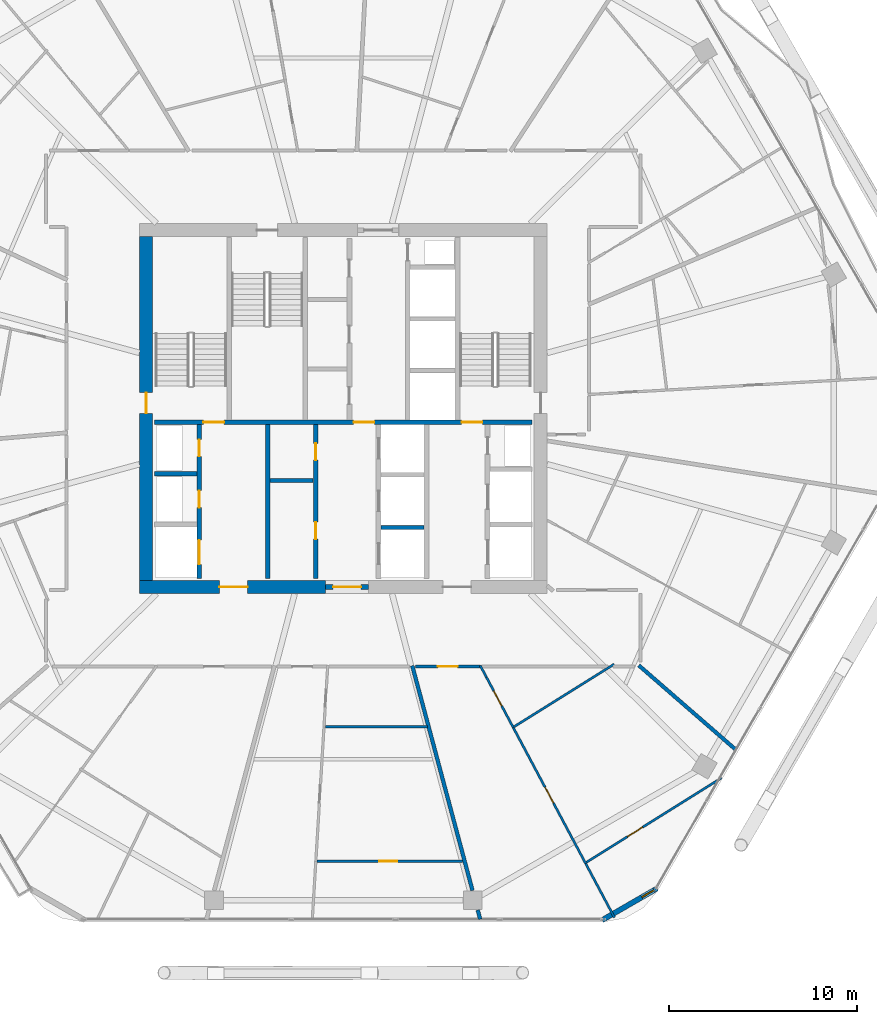
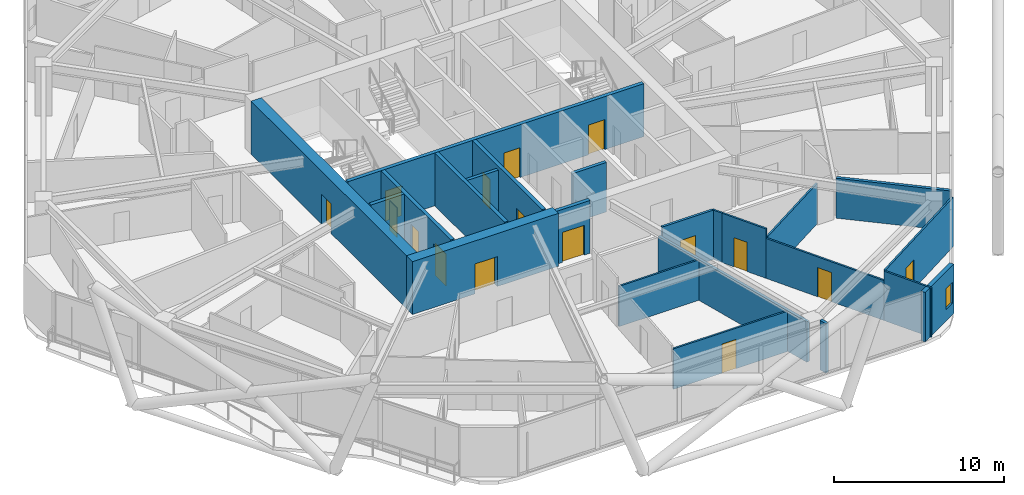
# One storey, part 21 of 28: 23 walls, 16 doors, 1 window, 17 openings.
"""IFC4 building model written with IfcOpenShell, lengths in metres."""

from ifc_helpers import new_model, si_unit, direction, frame, frame_2d, origin, place, context, subcontext, project, spatial, rectangle, extrude, material, layer, layer_set, type_object, element, fill, save


model = new_model("IFC4")

# Units and contexts
model_context = context("Model", 3, precision=1e-05, world=origin(), true_north=direction((0.0, 1.0)))
body_context = subcontext(model_context, "Body", "Model", "MODEL_VIEW")
ifc_project = project(units=[si_unit("LENGTHUNIT", "METRE"), si_unit("AREAUNIT", "SQUARE_METRE"), si_unit("VOLUMEUNIT", "CUBIC_METRE"), si_unit("PLANEANGLEUNIT", "RADIAN"), si_unit("MASSUNIT", "GRAM", prefix="KILO")], contexts=[model_context])

# Site, building, storey
site_placement = place(None, origin())
site = spatial("IfcSite", under=ifc_project, at=site_placement, CompositionType="ELEMENT")
building_placement = place(site_placement, origin())
building = spatial("IfcBuilding", under=site, at=building_placement, Name="Zuhravey Tower", CompositionType="ELEMENT")
storey_placement = place(building_placement, frame((0.0, 0.0, 169.39990234375)))
storey = spatial("IfcBuildingStorey", under=building, at=storey_placement, Name="L42", CompositionType="ELEMENT", Elevation=169.39990234375)

# Wall, opening, door
ifc_material_1 = material(Name="Concrete C60/75", Category="concrete")
ifc_layer_1 = layer(ifc_material_1, 0.699951171875)
ifc_layer_set_1 = layer_set([ifc_layer_1], Name="Concrete C60/75")
wall_type_1 = type_object("IfcWallType", Name="Core Shear Wall 700", PredefinedType="SHEAR", material=ifc_layer_set_1)
wall_1_placement = place(storey_placement, frame((25.14990234375, 22.5, 0.0), z_axis=(0.0, 0.0, 1.0), x_axis=(1.0, 0.0, 0.0)))
wall_1 = element("IfcWall", 1, at=wall_1_placement, inside=storey, type_object=wall_type_1, Name="L42 South-West Core Shear Wall CW70", PredefinedType="SHEAR", context=body_context, shape_type="SweptSolid", body=[
    extrude(rectangle(XDim=9.900146484375, YDim=0.699951171875, at=frame_2d((4.9501953125, 0.0))), origin(), (0.0, 0.0, 1.0), 3.800048828125),
])
opening_1_placement = place(wall_1_placement, frame((4.25, 0.0, 0.0)))
opening_1 = element("IfcOpeningElement", 2, at=opening_1_placement, cuts=wall_1, Name="Opening FFD1", PredefinedType="OPENING", context=body_context, shape_type="SweptSolid", body=[
    extrude(rectangle(XDim=1.5, YDim=2.14990234375, at=frame_2d((0.75, 1.074951171875))), frame((0.0, 0.362060546875, 0.0), z_axis=(0.0, -1.0, 0.0), x_axis=(1.0, 0.0, 0.0)), (0.0, 0.0, 1.0), 0.723876953125),
])
ifc_material_2 = material(Name="Galvanised fire-rated steel leaf", Category="steel")
door_type_1 = type_object("IfcDoorType", Name="Firefighting Lobby Double Door 1500x2150", OperationType="DOUBLE_DOOR_SINGLE_SWING", PredefinedType="DOOR", material=ifc_material_2)
door_1_placement = place(opening_1_placement, origin())
door_1 = element("IfcDoor", 3, at=door_1_placement, inside=storey, type_object=door_type_1, Name="L42 Firefighting Lobby West Door", OperationType="DOUBLE_DOOR_SINGLE_SWING", OverallHeight=2.14990234375, OverallWidth=1.5, PredefinedType="DOOR", context=body_context, shape_type="SweptSolid", body=[
    extrude(rectangle(XDim=1.5, YDim=2.14990234375, at=frame_2d((0.75, 1.074951171875))), frame((0.0, 0.02490234375, 0.0), z_axis=(0.0, -1.0, 0.0), x_axis=(1.0, 0.0, 0.0)), (0.0, 0.0, 1.0), 0.050048828125),
])
fill(opening_1, door_1)

wall_2_placement = place(storey_placement, frame((25.5, 22.85009765625, 0.0), z_axis=(0.0, 0.0, 1.0), x_axis=(0.0, 1.0, 0.0)))
wall_2 = element("IfcWall", 4, at=wall_2_placement, inside=storey, type_object=wall_type_1, Name="L42 West Core Shear Wall CW70", PredefinedType="SHEAR", context=body_context, shape_type="SweptSolid", body=[
    extrude(rectangle(XDim=18.2998046875, YDim=0.699951171875, at=frame_2d((9.14990234375, 0.0))), origin(), (0.0, 0.0, 1.0), 3.800048828125),
])
opening_2_placement = place(wall_2_placement, frame((8.89990234375, 0.0, 0.0)))
opening_2 = element("IfcOpeningElement", 5, at=opening_2_placement, cuts=wall_2, Name="Opening STD1", PredefinedType="OPENING", context=body_context, shape_type="SweptSolid", body=[
    extrude(rectangle(XDim=1.10009765625, YDim=2.14990234375, at=frame_2d((0.550048828125, 1.074951171875))), frame((0.0, 0.362060546875, 0.0), z_axis=(0.0, -1.0, 0.0), x_axis=(1.0, 0.0, 0.0)), (0.0, 0.0, 1.0), 0.723876953125),
])
door_type_2 = type_object("IfcDoorType", Name="Protected Stair Fire Door 1100x2150", OperationType="NOTDEFINED", PredefinedType="USERDEFINED", material=ifc_material_2)
door_2_placement = place(opening_2_placement, frame((1.10009765625, 0.0, 0.0), z_axis=(0.0, 0.0, 1.0), x_axis=(-1.0, 0.0, 0.0)))
door_2 = element("IfcDoor", 6, at=door_2_placement, inside=storey, type_object=door_type_2, Name="L42 Stair ST1 Door", ObjectType="EXITDOOR", OperationType="SINGLE_SWING_RIGHT", OverallHeight=2.14990234375, OverallWidth=1.10009765625, PredefinedType="USERDEFINED", context=body_context, shape_type="SweptSolid", body=[
    extrude(rectangle(XDim=1.10009765625, YDim=2.14990234375, at=frame_2d((0.550048828125, 1.074951171875))), frame((0.0, 0.02490234375, 0.0), z_axis=(0.0, -1.0, 0.0), x_axis=(1.0, 0.0, 0.0)), (0.0, 0.0, 1.0), 0.050048828125),
])
fill(opening_2, door_2)

ifc_material_3 = material(Name="Gypsum fire-rated stud partition")
ifc_layer_2 = layer(ifc_material_3, 0.159912109375)
ifc_layer_set_2 = layer_set([ifc_layer_2], Name="Gypsum fire-rated stud partition")
wall_type_2 = type_object("IfcWallType", Name="Corridor Fire Partition 160", PredefinedType="PARTITIONING", material=ifc_layer_set_2)
wall_3_placement = place(storey_placement, frame((39.828369140625, 18.27001953125, 0.0), z_axis=(0.0, 0.0, 1.0), x_axis=(1.0, 0.0, 0.0)))
wall_3 = element("IfcWall", 7, at=wall_3_placement, inside=storey, type_object=wall_type_2, Name="L42 IW16 Partition 058", PredefinedType="PARTITIONING", context=body_context, shape_type="SweptSolid", body=[
    extrude(rectangle(XDim=3.461669921875, YDim=0.159912109375, at=frame_2d((1.73095703125, 0.0))), origin(), (0.0, 0.0, 1.0), 3.550048828125),
])
opening_3_placement = place(wall_3_placement, frame((1.205810546875, 0.0, 0.0)))
opening_3 = element("IfcOpeningElement", 8, at=opening_3_placement, cuts=wall_3, Name="Opening APD1", PredefinedType="OPENING", context=body_context, shape_type="SweptSolid", body=[
    extrude(rectangle(XDim=1.050048828125, YDim=2.14990234375, at=frame_2d((0.52490234375, 1.074951171875))), frame((0.0, 0.092041015625, 0.0), z_axis=(0.0, -1.0, 0.0), x_axis=(1.0, 0.0, 0.0)), (0.0, 0.0, 1.0), 0.183837890625),
])
ifc_material_4 = material(Name="Solid-core oak fire-rated leaf")
door_type_3 = type_object("IfcDoorType", Name="Apartment Entrance Fire Door 1050x2150", OperationType="NOTDEFINED", PredefinedType="DOOR", material=ifc_material_4)
door_3_placement = place(opening_3_placement, frame((1.050048828125, 0.0, 0.0), z_axis=(0.0, 0.0, 1.0), x_axis=(-1.0, 0.0, 0.0)))
door_3 = element("IfcDoor", 9, at=door_3_placement, inside=storey, type_object=door_type_3, Name="L42 Door 058.1", OperationType="SINGLE_SWING_LEFT", OverallHeight=2.14990234375, OverallWidth=1.050048828125, PredefinedType="DOOR", context=body_context, shape_type="SweptSolid", body=[
    extrude(rectangle(XDim=1.050048828125, YDim=2.14990234375, at=frame_2d((0.52490234375, 1.074951171875))), frame((0.0, 0.02490234375, 0.0), z_axis=(0.0, -1.0, 0.0), x_axis=(1.0, 0.0, 0.0)), (0.0, 0.0, 1.0), 0.050048828125),
])
fill(opening_3, door_3)

# Wall, opening, window
ifc_material_5 = material(Name="Precast concrete C40/50", Category="concrete")
ifc_layer_3 = layer(ifc_material_5, 0.280029296875)
ifc_layer_set_3 = layer_set([ifc_layer_3], Name="Precast concrete C40/50")
wall_type_3 = type_object("IfcWallType", Name="Crown Architectural Wall 280", PredefinedType="SOLIDWALL", material=ifc_layer_set_3)
wall_4_placement = place(storey_placement, frame((52.693115234375, 6.451904296875, 0.0), z_axis=(0.0, 0.0, 1.0), x_axis=(-0.866020068361, -0.500009241111, 0.0)))
wall_4 = element("IfcWall", 10, at=wall_4_placement, inside=storey, type_object=wall_type_3, Name="L42 Rounded Corner Closure Wall EW28-02", PredefinedType="SOLIDWALL", context=body_context, shape_type="SweptSolid", body=[
    extrude(rectangle(XDim=3.365234375, YDim=0.280029296875, at=frame_2d((1.6826171875, 0.0))), origin(), (0.0, 0.0, 1.0), 3.550048828125),
])
opening_4_placement = place(wall_4_placement, frame((0.17919921875, 0.0, 0.85009765625)))
opening_4 = element("IfcOpeningElement", 11, at=opening_4_placement, cuts=wall_4, Name="Opening WN5", PredefinedType="OPENING", context=body_context, shape_type="SweptSolid", body=[
    extrude(rectangle(XDim=0.75, YDim=1.5, at=frame_2d((0.375, 0.75))), frame((0.0, 0.152099609375, 0.0), z_axis=(0.0, -1.0, 0.0), x_axis=(1.0, 0.0, 0.0)), (0.0, 0.0, 1.0), 0.303955078125),
])
ifc_material_6 = material(Name="Thermally broken aluminium and triple low-E glass", Category="aluminium")
window_type = type_object("IfcWindowType", Name="Residential Corner Casement Window 750x1500", PartitioningType="SINGLE_PANEL", PredefinedType="WINDOW", material=ifc_material_6)
window_placement = place(opening_4_placement, origin())
window = element("IfcWindow", 12, at=window_placement, inside=storey, type_object=window_type, Name="L42 Corner Casement Window WN5-02.1", OverallHeight=1.5, OverallWidth=0.75, PartitioningType="SINGLE_PANEL", PredefinedType="WINDOW", context=body_context, shape_type="SweptSolid", body=[
    extrude(rectangle(XDim=0.75, YDim=1.5, at=frame_2d((0.375, 0.75))), frame((0.0, 0.030029296875, 0.0), z_axis=(0.0, -1.0, 0.0), x_axis=(1.0, 0.0, 0.0)), (0.0, 0.0, 1.0), 0.06005859375),
])
fill(opening_4, window)

# Wall, opening, door
ifc_material_7 = material(Name="Concrete C50/60", Category="concrete")
ifc_layer_4 = layer(ifc_material_7, 0.25)
ifc_layer_set_4 = layer_set([ifc_layer_4], Name="Concrete C50/60")
wall_type_4 = type_object("IfcWallType", Name="Firefighting Shaft & Stair Wall 250", PredefinedType="SOLIDWALL", material=ifc_layer_set_4)
wall_5_placement = place(storey_placement, frame((35.06005859375, 22.5, 0.0), z_axis=(0.0, 0.0, 1.0), x_axis=(1.0, 0.0, 0.0)))
wall_5 = element("IfcWall", 13, at=wall_5_placement, inside=storey, type_object=wall_type_4, Name="L42 FW25 Shaft Wall 001", PredefinedType="SOLIDWALL", context=body_context, shape_type="SweptSolid", body=[
    extrude(rectangle(XDim=2.280029296875, YDim=0.25, at=frame_2d((1.14013671875, 0.0))), origin(), (0.0, 0.0, 1.0), 3.800048828125),
])
opening_5_placement = place(wall_5_placement, frame((0.389892578125, 0.0, 0.0)))
opening_5 = element("IfcOpeningElement", 14, at=opening_5_placement, cuts=wall_5, Name="Opening FFD1", PredefinedType="OPENING", context=body_context, shape_type="SweptSolid", body=[
    extrude(rectangle(XDim=1.5, YDim=2.14990234375, at=frame_2d((0.75, 1.074951171875))), frame((0.0, 0.136962890625, 0.0), z_axis=(0.0, -1.0, 0.0), x_axis=(1.0, 0.0, 0.0)), (0.0, 0.0, 1.0), 0.27392578125),
])
door_4_placement = place(opening_5_placement, frame((1.5, 0.0, 0.0), z_axis=(0.0, 0.0, 1.0), x_axis=(-1.0, 0.0, 0.0)))
door_4 = element("IfcDoor", 15, at=door_4_placement, inside=storey, type_object=door_type_1, Name="L42 South Lift Lobby Exit Door", OperationType="DOUBLE_DOOR_SINGLE_SWING", OverallHeight=2.14990234375, OverallWidth=1.5, PredefinedType="DOOR", context=body_context, shape_type="SweptSolid", body=[
    extrude(rectangle(XDim=1.5, YDim=2.14990234375, at=frame_2d((0.75, 1.074951171875))), frame((0.0, 0.02490234375, 0.0), z_axis=(0.0, -1.0, 0.0), x_axis=(1.0, 0.0, 0.0)), (0.0, 0.0, 1.0), 0.050048828125),
])
fill(opening_5, door_4)

# Wall, openings, doors
wall_6_placement = place(storey_placement, frame((25.949951171875, 31.27490234375, 0.0), z_axis=(0.0, 0.0, 1.0), x_axis=(1.0, 0.0, 0.0)))
wall_6 = element("IfcWall", 16, at=wall_6_placement, inside=storey, type_object=wall_type_4, Name="L42 FW25 Shaft Wall 003", PredefinedType="SOLIDWALL", context=body_context, shape_type="SweptSolid", body=[
    extrude(rectangle(XDim=20.10009765625, YDim=0.25, at=frame_2d((10.050048828125, 0.0))), origin(), (0.0, 0.0, 1.0), 3.800048828125),
])
opening_6_placement = place(wall_6_placement, frame((2.60009765625, 0.0, 0.0)))
opening_6 = element("IfcOpeningElement", 17, at=opening_6_placement, cuts=wall_6, Name="Opening STD1", PredefinedType="OPENING", context=body_context, shape_type="SweptSolid", body=[
    extrude(rectangle(XDim=1.10009765625, YDim=2.14990234375, at=frame_2d((0.550048828125, 1.074951171875))), frame((0.0, 0.136962890625, 0.0), z_axis=(0.0, -1.0, 0.0), x_axis=(1.0, 0.0, 0.0)), (0.0, 0.0, 1.0), 0.27392578125),
])
opening_7_placement = place(wall_6_placement, frame((10.60009765625, 0.0, 0.0)))
opening_7 = element("IfcOpeningElement", 18, at=opening_7_placement, cuts=wall_6, Name="Opening STD1", PredefinedType="OPENING", context=body_context, shape_type="SweptSolid", body=[
    extrude(rectangle(XDim=1.10009765625, YDim=2.14990234375, at=frame_2d((0.550048828125, 1.074951171875))), frame((0.0, 0.136962890625, 0.0), z_axis=(0.0, -1.0, 0.0), x_axis=(1.0, 0.0, 0.0)), (0.0, 0.0, 1.0), 0.27392578125),
])
opening_8_placement = place(wall_6_placement, frame((16.35009765625, 0.0, 0.0)))
opening_8 = element("IfcOpeningElement", 19, at=opening_8_placement, cuts=wall_6, Name="Opening STD1", PredefinedType="OPENING", context=body_context, shape_type="SweptSolid", body=[
    extrude(rectangle(XDim=1.10009765625, YDim=2.14990234375, at=frame_2d((0.550048828125, 1.074951171875))), frame((0.0, 0.136962890625, 0.0), z_axis=(0.0, -1.0, 0.0), x_axis=(1.0, 0.0, 0.0)), (0.0, 0.0, 1.0), 0.27392578125),
])
door_5_placement = place(opening_6_placement, origin())
door_5 = element("IfcDoor", 20, at=door_5_placement, inside=storey, type_object=door_type_2, Name="L42 FFL-W to ST1 Door", ObjectType="EXITDOOR", OperationType="SINGLE_SWING_LEFT", OverallHeight=2.14990234375, OverallWidth=1.10009765625, PredefinedType="USERDEFINED", context=body_context, shape_type="SweptSolid", body=[
    extrude(rectangle(XDim=1.10009765625, YDim=2.14990234375, at=frame_2d((0.550048828125, 1.074951171875))), frame((0.0, 0.02490234375, 0.0), z_axis=(0.0, -1.0, 0.0), x_axis=(1.0, 0.0, 0.0)), (0.0, 0.0, 1.0), 0.050048828125),
])
fill(opening_6, door_5)
door_6_placement = place(opening_7_placement, origin())
door_6 = element("IfcDoor", 21, at=door_6_placement, inside=storey, type_object=door_type_2, Name="L42 Core Lobby Link Door", ObjectType="EXITDOOR", OperationType="SINGLE_SWING_RIGHT", OverallHeight=2.14990234375, OverallWidth=1.10009765625, PredefinedType="USERDEFINED", context=body_context, shape_type="SweptSolid", body=[
    extrude(rectangle(XDim=1.10009765625, YDim=2.14990234375, at=frame_2d((0.550048828125, 1.074951171875))), frame((0.0, 0.02490234375, 0.0), z_axis=(0.0, -1.0, 0.0), x_axis=(1.0, 0.0, 0.0)), (0.0, 0.0, 1.0), 0.050048828125),
])
fill(opening_7, door_6)
door_7_placement = place(opening_8_placement, origin())
door_7 = element("IfcDoor", 22, at=door_7_placement, inside=storey, type_object=door_type_2, Name="L42 FFL-E to ST2 Door", ObjectType="EXITDOOR", OperationType="SINGLE_SWING_LEFT", OverallHeight=2.14990234375, OverallWidth=1.10009765625, PredefinedType="USERDEFINED", context=body_context, shape_type="SweptSolid", body=[
    extrude(rectangle(XDim=1.10009765625, YDim=2.14990234375, at=frame_2d((0.550048828125, 1.074951171875))), frame((0.0, 0.02490234375, 0.0), z_axis=(0.0, -1.0, 0.0), x_axis=(1.0, 0.0, 0.0)), (0.0, 0.0, 1.0), 0.050048828125),
])
fill(opening_8, door_7)

# Wall
wall_7_placement = place(storey_placement, frame((25.949951171875, 28.52490234375, 0.0), z_axis=(0.0, 0.0, 1.0), x_axis=(1.0, 0.0, 0.0)))
element("IfcWall", 23, at=wall_7_placement, inside=storey, type_object=wall_type_4, Name="L42 FW25 Shaft Wall 010", PredefinedType="SOLIDWALL", context=body_context, shape_type="SweptSolid", body=[
    extrude(rectangle(XDim=2.25, YDim=0.25, at=frame_2d((1.125, 0.0))), origin(), (0.0, 0.0, 1.0), 3.800048828125),
])

# Wall, openings, doors
wall_8_placement = place(storey_placement, frame((28.324951171875, 22.949951171875, 0.0), z_axis=(0.0, 0.0, 1.0), x_axis=(0.0, 1.0, 0.0)))
wall_8 = element("IfcWall", 24, at=wall_8_placement, inside=storey, type_object=wall_type_4, Name="L42 FW25 Shaft Wall 011", PredefinedType="SOLIDWALL", context=body_context, shape_type="SweptSolid", body=[
    extrude(rectangle(XDim=8.199951171875, YDim=0.25, at=frame_2d((4.10009765625, 0.0))), origin(), (0.0, 0.0, 1.0), 3.800048828125),
])
opening_9_placement = place(wall_8_placement, frame((0.75, 0.0, 0.0)))
opening_9 = element("IfcOpeningElement", 25, at=opening_9_placement, cuts=wall_8, Name="Opening LD2", PredefinedType="OPENING", context=body_context, shape_type="SweptSolid", body=[
    extrude(rectangle(XDim=1.300048828125, YDim=2.300048828125, at=frame_2d((0.64990234375, 1.14990234375))), frame((0.0, 0.136962890625, 0.0), z_axis=(0.0, -1.0, 0.0), x_axis=(1.0, 0.0, 0.0)), (0.0, 0.0, 1.0), 0.27392578125),
])
opening_10_placement = place(wall_8_placement, frame((3.780029296875, 0.0, 0.0)))
opening_10 = element("IfcOpeningElement", 26, at=opening_10_placement, cuts=wall_8, Name="Opening RSD1", PredefinedType="OPENING", context=body_context, shape_type="SweptSolid", body=[
    extrude(rectangle(XDim=0.89990234375, YDim=2.10009765625, at=frame_2d((0.449951171875, 1.050048828125))), frame((0.0, 0.136962890625, 0.0), z_axis=(0.0, -1.0, 0.0), x_axis=(1.0, 0.0, 0.0)), (0.0, 0.0, 1.0), 0.27392578125),
])
opening_11_placement = place(wall_8_placement, frame((6.5, 0.0, 0.0)))
opening_11 = element("IfcOpeningElement", 27, at=opening_11_placement, cuts=wall_8, Name="Opening RSD1", PredefinedType="OPENING", context=body_context, shape_type="SweptSolid", body=[
    extrude(rectangle(XDim=0.89990234375, YDim=2.10009765625, at=frame_2d((0.449951171875, 1.050048828125))), frame((0.0, 0.136962890625, 0.0), z_axis=(0.0, -1.0, 0.0), x_axis=(1.0, 0.0, 0.0)), (0.0, 0.0, 1.0), 0.27392578125),
])
ifc_material_8 = material(Name="Brushed stainless steel", Category="steel")
door_type_4 = type_object("IfcDoorType", Name="Freight & Stretcher Lift Sliding Door 1300x2300", OperationType="DOUBLE_DOOR_SLIDING", PredefinedType="DOOR", material=ifc_material_8)
door_8_placement = place(opening_9_placement, frame((1.300048828125, 0.0, 0.0), z_axis=(0.0, 0.0, 1.0), x_axis=(-1.0, 0.0, 0.0)))
door_8 = element("IfcDoor", 28, at=door_8_placement, inside=storey, type_object=door_type_4, Name="L42 Lift FF1 Landing Door", OperationType="DOUBLE_DOOR_SLIDING", OverallHeight=2.300048828125, OverallWidth=1.300048828125, PredefinedType="DOOR", context=body_context, shape_type="SweptSolid", body=[
    extrude(rectangle(XDim=1.300048828125, YDim=2.300048828125, at=frame_2d((0.64990234375, 1.14990234375))), frame((0.0, 0.02490234375, 0.0), z_axis=(0.0, -1.0, 0.0), x_axis=(1.0, 0.0, 0.0)), (0.0, 0.0, 1.0), 0.050048828125),
])
fill(opening_9, door_8)
ifc_material_9 = material(Name="Galvanised fire-rated steel access leaf", Category="steel")
door_type_5 = type_object("IfcDoorType", Name="Riser & Shaft Access Fire Door 900x2100", OperationType="NOTDEFINED", PredefinedType="DOOR", material=ifc_material_9)
door_9_placement = place(opening_10_placement, frame((0.89990234375, 0.0, 0.0), z_axis=(0.0, 0.0, 1.0), x_axis=(-1.0, 0.0, 0.0)))
door_9 = element("IfcDoor", 29, at=door_9_placement, inside=storey, type_object=door_type_5, Name="L42 Electrical Riser Door", OperationType="SINGLE_SWING_RIGHT", OverallHeight=2.10009765625, OverallWidth=0.89990234375, PredefinedType="DOOR", context=body_context, shape_type="SweptSolid", body=[
    extrude(rectangle(XDim=0.89990234375, YDim=2.10009765625, at=frame_2d((0.449951171875, 1.050048828125))), frame((0.0, 0.02490234375, 0.0), z_axis=(0.0, -1.0, 0.0), x_axis=(1.0, 0.0, 0.0)), (0.0, 0.0, 1.0), 0.050048828125),
])
fill(opening_10, door_9)
door_10_placement = place(opening_11_placement, frame((0.89990234375, 0.0, 0.0), z_axis=(0.0, 0.0, 1.0), x_axis=(-1.0, 0.0, 0.0)))
door_10 = element("IfcDoor", 30, at=door_10_placement, inside=storey, type_object=door_type_5, Name="L42 Smoke Shaft Access Door", OperationType="SINGLE_SWING_LEFT", OverallHeight=2.10009765625, OverallWidth=0.89990234375, PredefinedType="DOOR", context=body_context, shape_type="SweptSolid", body=[
    extrude(rectangle(XDim=0.89990234375, YDim=2.10009765625, at=frame_2d((0.449951171875, 1.050048828125))), frame((0.0, 0.02490234375, 0.0), z_axis=(0.0, -1.0, 0.0), x_axis=(1.0, 0.0, 0.0)), (0.0, 0.0, 1.0), 0.050048828125),
])
fill(opening_11, door_10)

# Wall
wall_9_placement = place(storey_placement, frame((31.97509765625, 22.949951171875, 0.0), z_axis=(0.0, 0.0, 1.0), x_axis=(0.0, 1.0, 0.0)))
element("IfcWall", 31, at=wall_9_placement, inside=storey, type_object=wall_type_4, Name="L42 FW25 Shaft Wall 012", PredefinedType="SOLIDWALL", context=body_context, shape_type="SweptSolid", body=[
    extrude(rectangle(XDim=8.199951171875, YDim=0.25, at=frame_2d((4.10009765625, 0.0))), origin(), (0.0, 0.0, 1.0), 3.800048828125),
])

# Wall, openings, doors
wall_10_placement = place(storey_placement, frame((34.52490234375, 22.949951171875, 0.0), z_axis=(0.0, 0.0, 1.0), x_axis=(0.0, 1.0, 0.0)))
wall_10 = element("IfcWall", 32, at=wall_10_placement, inside=storey, type_object=wall_type_4, Name="L42 FW25 Shaft Wall 013", PredefinedType="SOLIDWALL", context=body_context, shape_type="SweptSolid", body=[
    extrude(rectangle(XDim=8.199951171875, YDim=0.25, at=frame_2d((4.10009765625, 0.0))), origin(), (0.0, 0.0, 1.0), 3.800048828125),
])
opening_12_placement = place(wall_10_placement, frame((2.10009765625, 0.0, 0.0)))
opening_12 = element("IfcOpeningElement", 33, at=opening_12_placement, cuts=wall_10, Name="Opening RSD1", PredefinedType="OPENING", context=body_context, shape_type="SweptSolid", body=[
    extrude(rectangle(XDim=0.89990234375, YDim=2.10009765625, at=frame_2d((0.449951171875, 1.050048828125))), frame((0.0, 0.136962890625, 0.0), z_axis=(0.0, -1.0, 0.0), x_axis=(1.0, 0.0, 0.0)), (0.0, 0.0, 1.0), 0.27392578125),
])
opening_13_placement = place(wall_10_placement, frame((6.300048828125, 0.0, 0.0)))
opening_13 = element("IfcOpeningElement", 34, at=opening_13_placement, cuts=wall_10, Name="Opening RSD1", PredefinedType="OPENING", context=body_context, shape_type="SweptSolid", body=[
    extrude(rectangle(XDim=0.89990234375, YDim=2.10009765625, at=frame_2d((0.449951171875, 1.050048828125))), frame((0.0, 0.136962890625, 0.0), z_axis=(0.0, -1.0, 0.0), x_axis=(1.0, 0.0, 0.0)), (0.0, 0.0, 1.0), 0.27392578125),
])
door_11_placement = place(opening_12_placement, origin())
door_11 = element("IfcDoor", 35, at=door_11_placement, inside=storey, type_object=door_type_5, Name="L42 Housekeeping Store Door", OperationType="SINGLE_SWING_RIGHT", OverallHeight=2.10009765625, OverallWidth=0.89990234375, PredefinedType="DOOR", context=body_context, shape_type="SweptSolid", body=[
    extrude(rectangle(XDim=0.89990234375, YDim=2.10009765625, at=frame_2d((0.449951171875, 1.050048828125))), frame((0.0, 0.02490234375, 0.0), z_axis=(0.0, -1.0, 0.0), x_axis=(1.0, 0.0, 0.0)), (0.0, 0.0, 1.0), 0.050048828125),
])
fill(opening_12, door_11)
door_12_placement = place(opening_13_placement, origin())
door_12 = element("IfcDoor", 36, at=door_12_placement, inside=storey, type_object=door_type_5, Name="L42 Comms Closet Door", OperationType="SINGLE_SWING_LEFT", OverallHeight=2.10009765625, OverallWidth=0.89990234375, PredefinedType="DOOR", context=body_context, shape_type="SweptSolid", body=[
    extrude(rectangle(XDim=0.89990234375, YDim=2.10009765625, at=frame_2d((0.449951171875, 1.050048828125))), frame((0.0, 0.02490234375, 0.0), z_axis=(0.0, -1.0, 0.0), x_axis=(1.0, 0.0, 0.0)), (0.0, 0.0, 1.0), 0.050048828125),
])
fill(opening_13, door_12)

# Walls
ifc_material_10 = material(Name="Gypsum double-stud party assembly")
ifc_layer_5 = layer(ifc_material_10, 0.199951171875)
ifc_layer_set_5 = layer_set([ifc_layer_5], Name="Gypsum double-stud party assembly")
wall_type_5 = type_object("IfcWallType", Name="Inter-Tenancy Party Wall 200", PredefinedType="PARTITIONING", material=ifc_layer_set_5)
wall_11_placement = place(storey_placement, frame((39.668212890625, 18.31005859375, 0.0), z_axis=(0.0, 0.0, 1.0), x_axis=(0.258823121138, -0.96592473411, 0.0)))
element("IfcWall", 37, at=wall_11_placement, inside=storey, type_object=wall_type_5, Name="L42 IW20 Partition 109", PredefinedType="PARTITIONING", context=body_context, shape_type="SweptSolid", body=[
    extrude(rectangle(XDim=12.38525390625, YDim=0.199951171875, at=frame_2d((6.192626953125, 0.0))), origin(), (0.0, 0.0, 1.0), 2.900146484375),
])
wall_12_placement = place(storey_placement, frame((43.15234375, 5.306884765625, 0.0), z_axis=(0.0, 0.0, 1.0), x_axis=(0.258920510492, -0.965898633008, 0.0)))
element("IfcWall", 38, at=wall_12_placement, inside=storey, type_object=wall_type_5, Name="L42 IW20 Partition 110", PredefinedType="PARTITIONING", context=body_context, shape_type="SweptSolid", body=[
    extrude(rectangle(XDim=0.50732421875, YDim=0.199951171875, at=frame_2d((0.253662109375, 0.0))), origin(), (0.0, 0.0, 1.0), 3.550048828125),
])
wall_13_placement = place(storey_placement, frame((51.72412109375, 18.331298828125, 0.0), z_axis=(0.0, 0.0, 1.0), x_axis=(0.754712052901, -0.656056184489, 0.0)))
element("IfcWall", 39, at=wall_13_placement, inside=storey, type_object=wall_type_5, Name="L42 IW20 Partition 115", PredefinedType="PARTITIONING", context=body_context, shape_type="SweptSolid", body=[
    extrude(rectangle(XDim=6.857421875, YDim=0.199951171875, at=frame_2d((3.4287109375, 0.0))), origin(), (0.0, 0.0, 1.0), 2.8701171875),
])
ifc_material_11 = material(Name="Gypsum acoustic stud assembly")
ifc_layer_6 = layer(ifc_material_11, 0.219970703125)
ifc_layer_set_6 = layer_set([ifc_layer_6], Name="Gypsum acoustic stud assembly")
wall_type_6 = type_object("IfcWallType", Name="School Acoustic Compartment Wall 220", PredefinedType="PARTITIONING", material=ifc_layer_set_6)
wall_14_placement = place(storey_placement, frame((32.10791015625, 28.175048828125, 0.0), z_axis=(0.0, 0.0, 1.0), x_axis=(1.0, 0.0, 0.0)))
element("IfcWall", 40, at=wall_14_placement, inside=storey, type_object=wall_type_6, Name="L42 IW22 Partition 072", PredefinedType="PARTITIONING", context=body_context, shape_type="SweptSolid", body=[
    extrude(rectangle(XDim=2.2841796875, YDim=0.219970703125, at=frame_2d((1.14208984375, 0.0))), origin(), (0.0, 0.0, 1.0), 3.550048828125),
])
wall_15_placement = place(storey_placement, frame((38.008056640625, 25.675048828125, 0.0), z_axis=(0.0, 0.0, 1.0), x_axis=(1.0, 0.0, 0.0)))
element("IfcWall", 41, at=wall_15_placement, inside=storey, type_object=wall_type_6, Name="L42 IW22 Partition 073", PredefinedType="PARTITIONING", context=body_context, shape_type="SweptSolid", body=[
    extrude(rectangle(XDim=2.283935546875, YDim=0.219970703125, at=frame_2d((1.14208984375, 0.0))), origin(), (0.0, 0.0, 1.0), 3.550048828125),
])

# Wall, opening, door
ifc_material_12 = material(Name="Gypsum metal-stud partition")
ifc_layer_7 = layer(ifc_material_12, 0.1201171875)
ifc_layer_set_7 = layer_set([ifc_layer_7], Name="Gypsum metal-stud partition")
wall_type_7 = type_object("IfcWallType", Name="Unit Internal Partition 120", PredefinedType="PARTITIONING", material=ifc_layer_set_7)
wall_16_placement = place(storey_placement, frame((34.602783203125, 7.904296875, 0.0), z_axis=(0.0, 0.0, 1.0), x_axis=(1.0, 0.0, 0.0)))
wall_16 = element("IfcWall", 42, at=wall_16_placement, inside=storey, type_object=wall_type_7, Name="L42 IW12 Partition 053", PredefinedType="PARTITIONING", context=body_context, shape_type="SweptSolid", body=[
    extrude(rectangle(XDim=7.732177734375, YDim=0.1201171875, at=frame_2d((3.8662109375, 0.0))), origin(), (0.0, 0.0, 1.0), 2.900146484375),
])
opening_14_placement = place(wall_16_placement, frame((3.306884765625, 0.0, 0.0)))
opening_14 = element("IfcOpeningElement", 43, at=opening_14_placement, cuts=wall_16, Name="Opening IND1", PredefinedType="OPENING", context=body_context, shape_type="SweptSolid", body=[
    extrude(rectangle(XDim=0.949951171875, YDim=2.10009765625, at=frame_2d((0.47509765625, 1.050048828125))), frame((0.0, 0.072021484375, 0.0), z_axis=(0.0, -1.0, 0.0), x_axis=(1.0, 0.0, 0.0)), (0.0, 0.0, 1.0), 0.14404296875),
])
ifc_material_13 = material(Name="Painted engineered timber leaf", Category="wood")
door_type_6 = type_object("IfcDoorType", Name="Internal Room & Bedroom Door 950x2100", OperationType="NOTDEFINED", PredefinedType="DOOR", material=ifc_material_13)
door_13_placement = place(opening_14_placement, frame((0.949951171875, 0.0, 0.0), z_axis=(0.0, 0.0, 1.0), x_axis=(-1.0, 0.0, 0.0)))
door_13 = element("IfcDoor", 44, at=door_13_placement, inside=storey, type_object=door_type_6, Name="Apartment L42-08 Kitchen Door", OperationType="SINGLE_SWING_RIGHT", OverallHeight=2.10009765625, OverallWidth=0.949951171875, PredefinedType="DOOR", context=body_context, shape_type="SweptSolid", body=[
    extrude(rectangle(XDim=0.949951171875, YDim=2.10009765625, at=frame_2d((0.47509765625, 1.050048828125))), frame((0.0, 0.02490234375, 0.0), z_axis=(0.0, -1.0, 0.0), x_axis=(1.0, 0.0, 0.0)), (0.0, 0.0, 1.0), 0.050048828125),
])
fill(opening_14, door_13)

wall_17_placement = place(storey_placement, frame((43.6162109375, 17.699951171875, 0.0), z_axis=(0.0, 0.0, 1.0), x_axis=(0.470139063633, -0.882592352588, 0.0)))
wall_17 = element("IfcWall", 45, at=wall_17_placement, inside=storey, type_object=wall_type_7, Name="L42 IW12 Partition 055", PredefinedType="PARTITIONING", context=body_context, shape_type="SweptSolid", body=[
    extrude(rectangle(XDim=3.047119140625, YDim=0.1201171875, at=frame_2d((1.5234375, 0.0))), origin(), (0.0, 0.0, 1.0), 3.550048828125),
])
opening_15_placement = place(wall_17_placement, frame((0.829833984375, 0.0, 0.0)))
opening_15 = element("IfcOpeningElement", 46, at=opening_15_placement, cuts=wall_17, Name="Opening WCD1", PredefinedType="OPENING", context=body_context, shape_type="SweptSolid", body=[
    extrude(rectangle(XDim=0.89990234375, YDim=2.10009765625, at=frame_2d((0.449951171875, 1.050048828125))), frame((0.0, 0.072021484375, 0.0), z_axis=(0.0, -1.0, 0.0), x_axis=(1.0, 0.0, 0.0)), (0.0, 0.0, 1.0), 0.14404296875),
])
ifc_material_14 = material(Name="Moisture-resistant timber leaf", Category="wood")
door_type_7 = type_object("IfcDoorType", Name="Bathroom & WC Internal Door 900x2100", OperationType="NOTDEFINED", PredefinedType="DOOR", material=ifc_material_14)
door_14_placement = place(opening_15_placement, origin())
door_14 = element("IfcDoor", 47, at=door_14_placement, inside=storey, type_object=door_type_7, Name="Apartment L42-09 Bathroom Door", OperationType="SINGLE_SWING_RIGHT", OverallHeight=2.10009765625, OverallWidth=0.89990234375, PredefinedType="DOOR", context=body_context, shape_type="SweptSolid", body=[
    extrude(rectangle(XDim=0.89990234375, YDim=2.10009765625, at=frame_2d((0.449951171875, 1.050048828125))), frame((0.0, 0.02490234375, 0.0), z_axis=(0.0, -1.0, 0.0), x_axis=(1.0, 0.0, 0.0)), (0.0, 0.0, 1.0), 0.050048828125),
])
fill(opening_15, door_14)

wall_18_placement = place(storey_placement, frame((45.048828125, 15.010498046875, 0.0), z_axis=(0.0, 0.0, 1.0), x_axis=(0.470090976648, -0.882617965869, 0.0)))
wall_18 = element("IfcWall", 48, at=wall_18_placement, inside=storey, type_object=wall_type_7, Name="L42 IW12 Partition 056", PredefinedType="PARTITIONING", context=body_context, shape_type="SweptSolid", body=[
    extrude(rectangle(XDim=8.181396484375, YDim=0.1201171875, at=frame_2d((4.0908203125, 0.0))), origin(), (0.0, 0.0, 1.0), 2.8701171875),
])
opening_16_placement = place(wall_18_placement, frame((3.590576171875, 0.0, 0.0)))
opening_16 = element("IfcOpeningElement", 49, at=opening_16_placement, cuts=wall_18, Name="Opening IND1", PredefinedType="OPENING", context=body_context, shape_type="SweptSolid", body=[
    extrude(rectangle(XDim=0.949951171875, YDim=2.10009765625, at=frame_2d((0.47509765625, 1.050048828125))), frame((0.0, 0.072021484375, 0.0), z_axis=(0.0, -1.0, 0.0), x_axis=(1.0, 0.0, 0.0)), (0.0, 0.0, 1.0), 0.14404296875),
])
door_15_placement = place(opening_16_placement, origin())
door_15 = element("IfcDoor", 50, at=door_15_placement, inside=storey, type_object=door_type_6, Name="Apartment L42-09 Home Office Door", OperationType="SINGLE_SWING_LEFT", OverallHeight=2.10009765625, OverallWidth=0.949951171875, PredefinedType="DOOR", context=body_context, shape_type="SweptSolid", body=[
    extrude(rectangle(XDim=0.949951171875, YDim=2.10009765625, at=frame_2d((0.47509765625, 1.050048828125))), frame((0.0, 0.02490234375, 0.0), z_axis=(0.0, -1.0, 0.0), x_axis=(1.0, 0.0, 0.0)), (0.0, 0.0, 1.0), 0.050048828125),
])
fill(opening_16, door_15)

wall_19_placement = place(storey_placement, frame((48.94091796875, 7.84765625, 0.0), z_axis=(0.0, 0.0, 1.0), x_axis=(0.848033897141, 0.529941986731, 0.0)))
wall_19 = element("IfcWall", 51, at=wall_19_placement, inside=storey, type_object=wall_type_7, Name="L42 IW12 Partition 057", PredefinedType="PARTITIONING", context=body_context, shape_type="SweptSolid", body=[
    extrude(rectangle(XDim=8.477294921875, YDim=0.1201171875, at=frame_2d((4.23876953125, 0.0))), origin(), (0.0, 0.0, 1.0), 3.550048828125),
])
opening_17_placement = place(wall_19_placement, frame((2.579345703125, 0.0, 0.0)))
opening_17 = element("IfcOpeningElement", 52, at=opening_17_placement, cuts=wall_19, Name="Opening IND1", PredefinedType="OPENING", context=body_context, shape_type="SweptSolid", body=[
    extrude(rectangle(XDim=0.949951171875, YDim=2.10009765625, at=frame_2d((0.47509765625, 1.050048828125))), frame((0.0, 0.072021484375, 0.0), z_axis=(0.0, -1.0, 0.0), x_axis=(1.0, 0.0, 0.0)), (0.0, 0.0, 1.0), 0.14404296875),
])
door_16_placement = place(opening_17_placement, frame((0.949951171875, 0.0, 0.0), z_axis=(0.0, 0.0, 1.0), x_axis=(-1.0, 0.0, 0.0)))
door_16 = element("IfcDoor", 53, at=door_16_placement, inside=storey, type_object=door_type_6, Name="Apartment L42-09 Bedroom 1 Door", OperationType="SINGLE_SWING_RIGHT", OverallHeight=2.10009765625, OverallWidth=0.949951171875, PredefinedType="DOOR", context=body_context, shape_type="SweptSolid", body=[
    extrude(rectangle(XDim=0.949951171875, YDim=2.10009765625, at=frame_2d((0.47509765625, 1.050048828125))), frame((0.0, 0.02490234375, 0.0), z_axis=(0.0, -1.0, 0.0), x_axis=(1.0, 0.0, 0.0)), (0.0, 0.0, 1.0), 0.050048828125),
])
fill(opening_17, door_16)

# Walls
wall_20_placement = place(storey_placement, frame((35.0380859375, 15.061279296875, 0.0), z_axis=(0.0, 0.0, 1.0), x_axis=(1.0, 0.0, 0.0)))
element("IfcWall", 54, at=wall_20_placement, inside=storey, type_object=wall_type_7, Name="L42 IW12 Partition 108", PredefinedType="PARTITIONING", context=body_context, shape_type="SweptSolid", body=[
    extrude(rectangle(XDim=5.44580078125, YDim=0.1201171875, at=frame_2d((2.722900390625, 0.0))), origin(), (0.0, 0.0, 1.0), 2.900146484375),
])
wall_21_placement = place(storey_placement, frame((43.290283203125, 18.31201171875, 0.0), z_axis=(0.0, 0.0, 1.0), x_axis=(0.470021649014, -0.882654886951, 0.0)))
element("IfcWall", 55, at=wall_21_placement, inside=storey, type_object=wall_type_7, Name="L42 IW12 Partition 111", PredefinedType="PARTITIONING", context=body_context, shape_type="SweptSolid", body=[
    extrude(rectangle(XDim=0.693359375, YDim=0.1201171875, at=frame_2d((0.3466796875, 0.0))), origin(), (0.0, 0.0, 1.0), 3.550048828125),
])
wall_22_placement = place(storey_placement, frame((48.894775390625, 7.78955078125, 0.0), z_axis=(0.0, 0.0, 1.0), x_axis=(0.47009528372, -0.882615671867, 0.0)))
element("IfcWall", 56, at=wall_22_placement, inside=storey, type_object=wall_type_7, Name="L42 IW12 Partition 112", PredefinedType="PARTITIONING", context=body_context, shape_type="SweptSolid", body=[
    extrude(rectangle(XDim=3.26513671875, YDim=0.1201171875, at=frame_2d((1.632568359375, 0.0))), origin(), (0.0, 0.0, 1.0), 3.550048828125),
])
wall_23_placement = place(storey_placement, frame((45.094970703125, 15.068603515625, 0.0), z_axis=(0.0, 0.0, 1.0), x_axis=(0.84804863288, 0.529918405296, 0.0)))
element("IfcWall", 57, at=wall_23_placement, inside=storey, type_object=wall_type_7, Name="L42 IW12 Partition 113", PredefinedType="PARTITIONING", context=body_context, shape_type="SweptSolid", body=[
    extrude(rectangle(XDim=6.267578125, YDim=0.1201171875, at=frame_2d((3.1337890625, 0.0))), origin(), (0.0, 0.0, 1.0), 2.900146484375),
])

save(model, "model.ifc")
